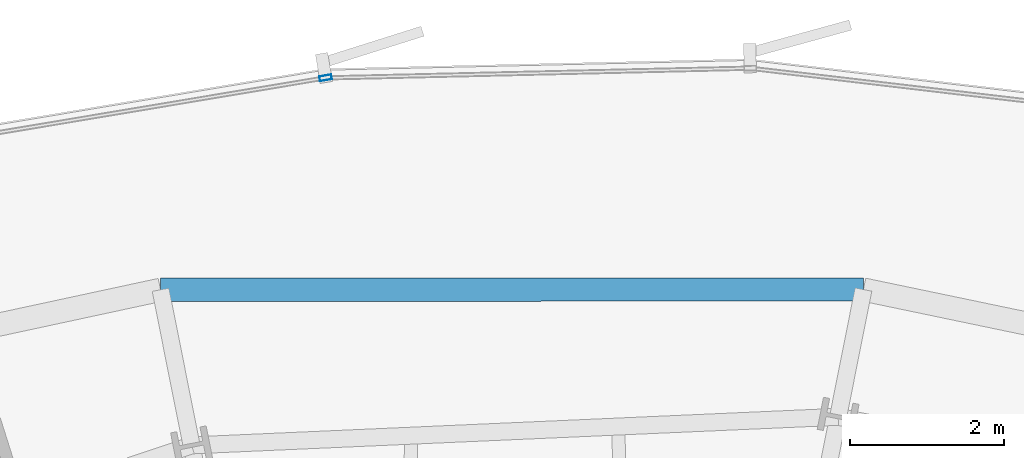
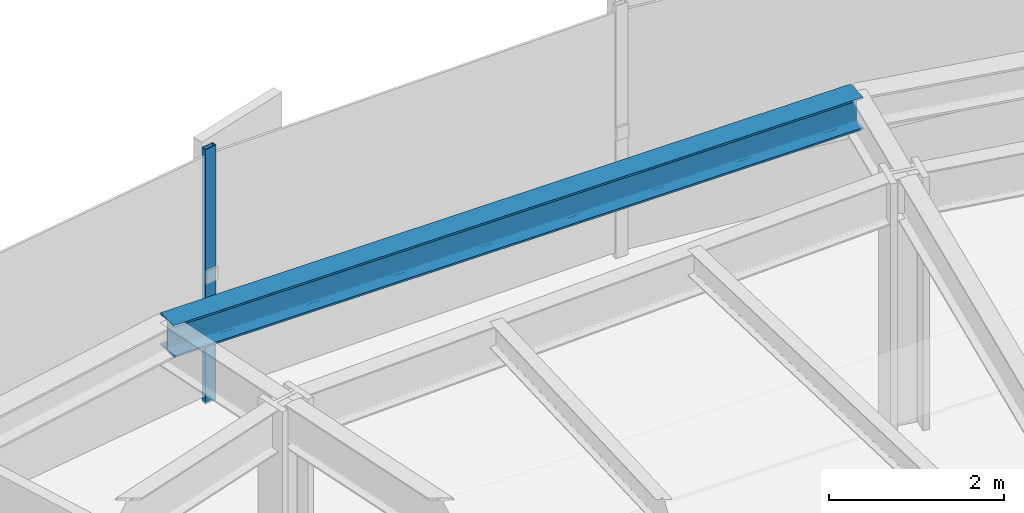
# One storey, part 22 of 38: 1 beam, 1 member, 1 element without a shape of its own.
"""IFC4 building model written with IfcOpenShell, lengths in metres."""

from ifc_helpers import new_model, si_unit, direction, frame, origin, origin_2d, place, context, subcontext, project, spatial, hollow_rectangle, i_section, extrude, source, transform, mapped, material, layer, layer_set, material_profile, profile_set, type_object, element, aggregate, save


model = new_model("IFC4")

# Units and contexts
model_context = context("Model", 3, precision=1e-05, world=origin(), true_north=direction((0.0, 1.0)))
body_context = subcontext(model_context, "Body", "Model", "MODEL_VIEW")
ifc_project = project(units=[si_unit("LENGTHUNIT", "METRE"), si_unit("AREAUNIT", "SQUARE_METRE"), si_unit("VOLUMEUNIT", "CUBIC_METRE"), si_unit("PLANEANGLEUNIT", "RADIAN"), si_unit("MASSUNIT", "GRAM", prefix="KILO"), si_unit("THERMODYNAMICTEMPERATUREUNIT", "KELVIN")], contexts=[model_context])

# Site, building, storey
site_placement = place(None, origin())
site = spatial("IfcSite", under=ifc_project, at=site_placement, CompositionType="ELEMENT")
building_placement = place(site_placement, origin())
building = spatial("IfcBuilding", under=site, at=building_placement, Name="Kethvar Cultural Tower", CompositionType="ELEMENT")
storey_placement = place(building_placement, frame((0.0, 0.0, 52.39990234375)))
storey = spatial("IfcBuildingStorey", under=building, at=storey_placement, Name="L12", CompositionType="ELEMENT", Elevation=52.39990234375)

# Beam
ifc_material_1 = material(Name="Steel S355J2", Category="steel")
ifc_material_profile_1 = material_profile(ifc_material_1, i_section(OverallWidth=0.300048828125, OverallDepth=0.449951171875, WebThickness=0.013916015625, FlangeThickness=0.02587890625, FilletRadius=0.027099609375, at=origin_2d()), Name="Steel S355J2 — HEB450")
ifc_profile_set_1 = profile_set([ifc_material_profile_1], Name="Steel S355J2 — HEB450")
beam_type = type_object("IfcBeamType", Name="BM-SP450", PredefinedType="SPANDREL", material=ifc_profile_set_1)
shared_shape_1 = source(origin(), body_context, "Body", "SweptSolid", [
    extrude(i_section(OverallWidth=0.300048828125, OverallDepth=0.449951171875, WebThickness=0.013916015625, FlangeThickness=0.02587890625, FilletRadius=0.027099609375, at=origin_2d()), origin(), (0.0, 0.0, 1.0), 9.09912109375),
])
beam_placement = place(storey_placement, frame((51.349853515625, 50.67333984375, 3.322998046875), z_axis=(-0.999999948166, -0.000321974762, 0.0), x_axis=(0.000321974762, -0.999999948166, 0.0)))
element("IfcBeam", 1, at=beam_placement, inside=storey, type_object=beam_type, Name="L12 Perimeter Spandrel Beam SP-04", PredefinedType="SPANDREL", context=body_context, shape_type="MappedRepresentation", body=[
    mapped(shared_shape_1, transform((0.0, 0.0, 0.0), scale=1.0)),
])

# Curtain wall, member
ifc_material_2 = material(Name="Aluminium 6063-T6", Category="aluminium")
ifc_layer = layer(ifc_material_2, 0.179931640625, Name="Aluminium 6063-T6", Category="aluminium")
ifc_layer_set = layer_set([ifc_layer], Name="Aluminium 6063-T6 (180 mm)")
curtain_wall_type = type_object("IfcCurtainWallType", Name="CW-SYS-02-Z1", PredefinedType="NOTDEFINED", material=ifc_layer_set)
curtain_wall_placement = place(storey_placement, origin())
curtain_wall = element("IfcCurtainWall", 2, at=curtain_wall_placement, inside=storey, type_object=curtain_wall_type, Name="L12 Curtain Wall Run 02", PredefinedType="NOTDEFINED")
ifc_material_profile_2 = material_profile(ifc_material_2, hollow_rectangle(XDim=0.06494140625, YDim=0.159912109375, WallThickness=0.0048828125, at=origin_2d()), Name="Aluminium 6063-T6 — RHS160x65x5")
ifc_profile_set_2 = profile_set([ifc_material_profile_2], Name="Aluminium 6063-T6 — RHS160x65x5")
member_type = type_object("IfcMemberType", Name="CW-SYS-02-Z1-MUL", PredefinedType="MULLION", material=ifc_profile_set_2)
shared_shape_2 = source(origin(), body_context, "Body", "SweptSolid", [
    extrude(hollow_rectangle(XDim=0.06494140625, YDim=0.159912109375, WallThickness=0.0048828125, at=origin_2d()), origin(), (0.0, 0.0, 1.0), 3.550048828125),
])
member_placement = place(storey_placement, frame((44.38720703125, 53.414306640625, 0.0), z_axis=(0.0, 0.0, 1.0), x_axis=(0.165082033622, -0.986279839688, 0.0)))
member = element("IfcMember", 3, at=member_placement, type_object=member_type, Name="CW-L12-R02 Mullion 4", PredefinedType="MULLION", context=body_context, shape_type="MappedRepresentation", body=[
    mapped(shared_shape_2, transform((0.0, 0.0, 0.0), scale=1.0)),
])
aggregate(curtain_wall, [member])

save(model, "model.ifc")
